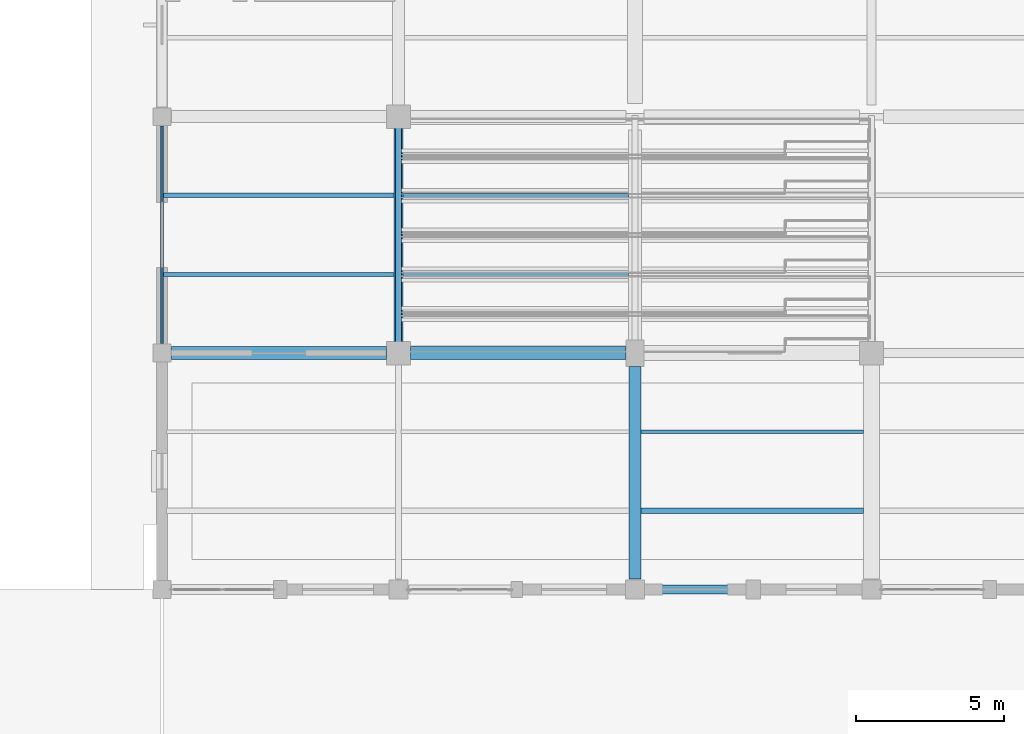
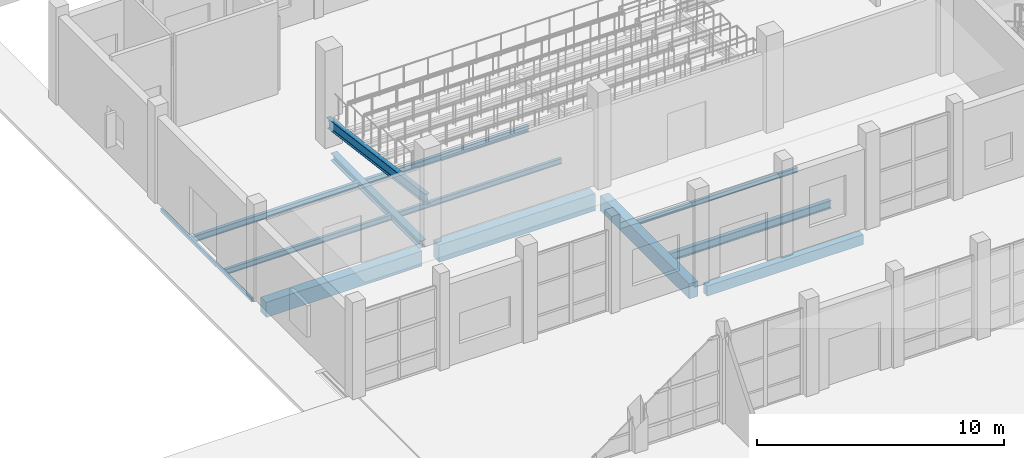
# One storey, part 75 of 156: 13 beams.
"""IFC4 building model written with IfcOpenShell, lengths in metres."""

from ifc_helpers import new_model, si_unit, direction, frame, origin, origin_2d, place, context, subcontext, project, spatial, rectangle, hollow_rectangle, i_section, extrude, material, material_profile, profile_set, type_object, element, save


model = new_model("IFC4")

# Units and contexts
model_context = context("Model", 3, precision=1e-05, world=origin(), true_north=direction((0.0, 1.0)))
body_context = subcontext(model_context, "Body", "Model", "MODEL_VIEW")
ifc_project = project(units=[si_unit("LENGTHUNIT", "METRE"), si_unit("AREAUNIT", "SQUARE_METRE"), si_unit("VOLUMEUNIT", "CUBIC_METRE"), si_unit("PLANEANGLEUNIT", "RADIAN"), si_unit("MASSUNIT", "GRAM", prefix="KILO")], contexts=[model_context])

# Site, building, storey
site_placement = place(None, origin())
site = spatial("IfcSite", under=ifc_project, at=site_placement, CompositionType="ELEMENT")
building_placement = place(site_placement, origin())
building = spatial("IfcBuilding", under=site, at=building_placement, Name="Luwemba Playhouse", CompositionType="ELEMENT")
storey_placement = place(building_placement, origin())
storey = spatial("IfcBuildingStorey", under=building, at=storey_placement, Name="L00", CompositionType="ELEMENT", Elevation=0.0)

# Beams
ifc_material_1 = material(Name="Concrete C40/50", Category="concrete")
ifc_material_profile_1 = material_profile(ifc_material_1, rectangle(XDim=0.39990234375, YDim=0.75, at=origin_2d()))
ifc_profile_set_1 = profile_set([ifc_material_profile_1], Name="Concrete C40/50")
beam_type_1 = type_object("IfcBeamType", Name="BM-RB03", PredefinedType="BEAM", material=ifc_profile_set_1)
beam_1_placement = place(storey_placement, frame((148.0, 36.35009765625, -0.675048828125), z_axis=(0.0, 1.0, 0.0), x_axis=(-1.0, 0.0, 0.0)))
element("IfcBeam", 1, at=beam_1_placement, inside=storey, type_object=beam_type_1, Name="L00 transverse girder 0100", PredefinedType="BEAM", context=body_context, shape_type="SweptSolid", body=[
    extrude(rectangle(XDim=0.39990234375, YDim=0.75, at=origin_2d()), origin(), (0.0, 0.0, 1.0), 7.199951171875),
])
ifc_material_profile_2 = material_profile(ifc_material_1, rectangle(XDim=0.449951171875, YDim=0.75, at=origin_2d()))
ifc_profile_set_2 = profile_set([ifc_material_profile_2], Name="Concrete C40/50")
beam_type_2 = type_object("IfcBeamType", Name="BM-RB04", PredefinedType="BEAM", material=ifc_profile_set_2)
beam_2_placement = place(storey_placement, frame((132.324951171875, 44.0, -0.675048828125), z_axis=(1.0, 0.0, 0.0), x_axis=(0.0, 1.0, 0.0)))
element("IfcBeam", 2, at=beam_2_placement, inside=storey, type_object=beam_type_2, Name="L00 grid girder 0079", PredefinedType="BEAM", context=body_context, shape_type="SweptSolid", body=[
    extrude(rectangle(XDim=0.449951171875, YDim=0.75, at=origin_2d()), origin(), (0.0, 0.0, 1.0), 7.275146484375),
])
ifc_material_profile_3 = material_profile(ifc_material_1, rectangle(XDim=0.449951171875, YDim=0.85009765625, at=origin_2d()))
ifc_profile_set_3 = profile_set([ifc_material_profile_3], Name="Concrete C40/50")
beam_type_3 = type_object("IfcBeamType", Name="BM-RB05", PredefinedType="BEAM", material=ifc_profile_set_3)
beam_3_placement = place(storey_placement, frame((140.39990234375, 44.0, -0.72509765625), z_axis=(1.0, 0.0, 0.0), x_axis=(0.0, 1.0, 0.0)))
element("IfcBeam", 3, at=beam_3_placement, inside=storey, type_object=beam_type_3, Name="L00 grid girder 0080", PredefinedType="BEAM", context=body_context, shape_type="SweptSolid", body=[
    extrude(rectangle(XDim=0.449951171875, YDim=0.85009765625, at=origin_2d()), origin(), (0.0, 0.0, 1.0), 7.300048828125),
])
ifc_material_2 = material(Name="Steel S355", Category="steel")
ifc_material_profile_4 = material_profile(ifc_material_2, i_section(OverallWidth=0.199951171875, OverallDepth=0.5, WebThickness=0.01025390625, FlangeThickness=0.01611328125, FilletRadius=0.02099609375, at=origin_2d()))
ifc_profile_set_4 = profile_set([ifc_material_profile_4], Name="Steel S355")
beam_type_4 = type_object("IfcBeamType", Name="BM-RK1", PredefinedType="USERDEFINED", material=ifc_profile_set_4)
beam_4_placement = place(storey_placement, frame((140.0, 44.0, 1.97998046875), z_axis=(0.0, 0.991627894633, -0.129128302808), x_axis=(-1.0, 0.0, 0.0)))
element("IfcBeam", 4, at=beam_4_placement, inside=storey, type_object=beam_type_4, Name="RAKER girder Studio 16", ObjectType="RAKER", PredefinedType="USERDEFINED", context=body_context, shape_type="SweptSolid", body=[
    extrude(i_section(OverallWidth=0.199951171875, OverallDepth=0.5, WebThickness=0.01025390625, FlangeThickness=0.01611328125, FilletRadius=0.02099609375, at=origin_2d()), origin(), (0.0, 0.0, 1.0), 8.067626953125),
])
ifc_material_profile_5 = material_profile(ifc_material_2, i_section(OverallWidth=0.300048828125, OverallDepth=0.360107421875, WebThickness=0.012451171875, FlangeThickness=0.0224609375, FilletRadius=0.027099609375, at=origin_2d()))
ifc_profile_set_5 = profile_set([ifc_material_profile_5], Name="Steel S355")
beam_type_5 = type_object("IfcBeamType", Name="BM-SB09", PredefinedType="BEAM", material=ifc_profile_set_5)
beam_5_placement = place(storey_placement, frame((140.0, 44.39990234375, -0.47998046875), z_axis=(0.0, 1.0, 0.0), x_axis=(-1.0, 0.0, 0.0)))
element("IfcBeam", 5, at=beam_5_placement, inside=storey, type_object=beam_type_5, Name="L00 transverse girder 0098", PredefinedType="BEAM", context=body_context, shape_type="SweptSolid", body=[
    extrude(i_section(OverallWidth=0.300048828125, OverallDepth=0.360107421875, WebThickness=0.012451171875, FlangeThickness=0.0224609375, FilletRadius=0.027099609375, at=origin_2d()), origin(), (0.0, 0.0, 1.0), 7.2001953125),
])
ifc_material_profile_6 = material_profile(ifc_material_2, i_section(OverallWidth=0.1201171875, OverallDepth=0.239990234375, WebThickness=0.006103515625, FlangeThickness=0.009765625, FilletRadius=0.014892578125, at=origin_2d()))
ifc_profile_set_6 = profile_set([ifc_material_profile_6], Name="Steel S355")
beam_type_6 = type_object("IfcBeamType", Name="BM-SJ03", PredefinedType="JOIST", material=ifc_profile_set_6)
beam_6_placement = place(storey_placement, frame((148.196044921875, 41.333251953125, -0.419921875), z_axis=(1.0, 0.0, 0.0), x_axis=(0.0, 1.0, 0.0)))
element("IfcBeam", 6, at=beam_6_placement, inside=storey, type_object=beam_type_6, Name="L00 composite floor joist 0083", PredefinedType="JOIST", context=body_context, shape_type="SweptSolid", body=[
    extrude(i_section(OverallWidth=0.1201171875, OverallDepth=0.239990234375, WebThickness=0.006103515625, FlangeThickness=0.009765625, FilletRadius=0.014892578125, at=origin_2d()), origin(), (0.0, 0.0, 1.0), 7.532958984375),
])
ifc_material_profile_7 = material_profile(ifc_material_2, i_section(OverallWidth=0.135009765625, OverallDepth=0.27001953125, WebThickness=0.006591796875, FlangeThickness=0.01025390625, FilletRadius=0.014892578125, at=origin_2d()))
ifc_profile_set_7 = profile_set([ifc_material_profile_7], Name="Steel S355")
beam_type_7 = type_object("IfcBeamType", Name="BM-SJ04", PredefinedType="JOIST", material=ifc_profile_set_7)
beam_7_placement = place(storey_placement, frame((132.0458984375, 46.666748046875, -0.43505859375), z_axis=(1.0, 0.0, 0.0), x_axis=(0.0, 1.0, 0.0)))
element("IfcBeam", 7, at=beam_7_placement, inside=storey, type_object=beam_type_7, Name="L00 composite floor joist 0072", PredefinedType="JOIST", context=body_context, shape_type="SweptSolid", body=[
    extrude(i_section(OverallWidth=0.135009765625, OverallDepth=0.27001953125, WebThickness=0.006591796875, FlangeThickness=0.01025390625, FilletRadius=0.014892578125, at=origin_2d()), origin(), (0.0, 0.0, 1.0), 7.80810546875),
])
beam_8_placement = place(storey_placement, frame((140.14599609375, 46.666748046875, -0.43505859375), z_axis=(1.0, 0.0, 0.0), x_axis=(0.0, 1.0, 0.0)))
element("IfcBeam", 8, at=beam_8_placement, inside=storey, type_object=beam_type_7, Name="L00 composite floor joist 0078", PredefinedType="JOIST", context=body_context, shape_type="SweptSolid", body=[
    extrude(i_section(OverallWidth=0.135009765625, OverallDepth=0.27001953125, WebThickness=0.006591796875, FlangeThickness=0.01025390625, FilletRadius=0.014892578125, at=origin_2d()), origin(), (0.0, 0.0, 1.0), 7.633056640625),
])
ifc_material_profile_8 = material_profile(ifc_material_2, i_section(OverallWidth=0.14990234375, OverallDepth=0.300048828125, WebThickness=0.007080078125, FlangeThickness=0.0107421875, FilletRadius=0.014892578125, at=origin_2d()))
ifc_profile_set_8 = profile_set([ifc_material_profile_8], Name="Steel S355")
beam_type_8 = type_object("IfcBeamType", Name="BM-SJ05", PredefinedType="JOIST", material=ifc_profile_set_8)
beam_9_placement = place(storey_placement, frame((132.0458984375, 49.333251953125, -0.449951171875), z_axis=(1.0, 0.0, 0.0), x_axis=(0.0, 1.0, 0.0)))
element("IfcBeam", 9, at=beam_9_placement, inside=storey, type_object=beam_type_8, Name="L00 composite floor joist 0073", PredefinedType="JOIST", context=body_context, shape_type="SweptSolid", body=[
    extrude(i_section(OverallWidth=0.14990234375, OverallDepth=0.300048828125, WebThickness=0.007080078125, FlangeThickness=0.0107421875, FilletRadius=0.014892578125, at=origin_2d()), origin(), (0.0, 0.0, 1.0), 7.80810546875),
])
beam_10_placement = place(storey_placement, frame((140.14599609375, 49.333251953125, -0.449951171875), z_axis=(1.0, 0.0, 0.0), x_axis=(0.0, 1.0, 0.0)))
element("IfcBeam", 10, at=beam_10_placement, inside=storey, type_object=beam_type_8, Name="L00 composite floor joist 0079", PredefinedType="JOIST", context=body_context, shape_type="SweptSolid", body=[
    extrude(i_section(OverallWidth=0.14990234375, OverallDepth=0.300048828125, WebThickness=0.007080078125, FlangeThickness=0.0107421875, FilletRadius=0.014892578125, at=origin_2d()), origin(), (0.0, 0.0, 1.0), 7.633056640625),
])
ifc_material_profile_9 = material_profile(ifc_material_2, i_section(OverallWidth=0.179931640625, OverallDepth=0.39990234375, WebThickness=0.008544921875, FlangeThickness=0.013427734375, FilletRadius=0.02099609375, at=origin_2d()))
ifc_profile_set_9 = profile_set([ifc_material_profile_9], Name="Steel S355")
beam_type_9 = type_object("IfcBeamType", Name="BM-SJ08", PredefinedType="JOIST", material=ifc_profile_set_9)
beam_11_placement = place(storey_placement, frame((148.196044921875, 38.666748046875, -0.5), z_axis=(1.0, 0.0, 0.0), x_axis=(0.0, 1.0, 0.0)))
element("IfcBeam", 11, at=beam_11_placement, inside=storey, type_object=beam_type_9, Name="L00 composite floor joist 0082", PredefinedType="JOIST", context=body_context, shape_type="SweptSolid", body=[
    extrude(i_section(OverallWidth=0.179931640625, OverallDepth=0.39990234375, WebThickness=0.008544921875, FlangeThickness=0.013427734375, FilletRadius=0.02099609375, at=origin_2d()), origin(), (0.0, 0.0, 1.0), 7.532958984375),
])
ifc_material_profile_10 = material_profile(ifc_material_1, rectangle(XDim=0.300048828125, YDim=0.5, at=origin_2d()))
ifc_profile_set_10 = profile_set([ifc_material_profile_10], Name="Concrete C40/50")
beam_type_10 = type_object("IfcBeamType", Name="BM-SP1", PredefinedType="SPANDREL", material=ifc_profile_set_10)
beam_12_placement = place(storey_placement, frame((148.35009765625, 36.0, -0.550048828125), z_axis=(1.0, 0.0, 0.0), x_axis=(0.0, 1.0, 0.0)))
element("IfcBeam", 12, at=beam_12_placement, inside=storey, type_object=beam_type_10, Name="L00 grid girder 0076", PredefinedType="SPANDREL", context=body_context, shape_type="SweptSolid", body=[
    extrude(rectangle(XDim=0.300048828125, YDim=0.5, at=origin_2d()), origin(), (0.0, 0.0, 1.0), 7.2998046875),
])
ifc_material_profile_11 = material_profile(ifc_material_2, hollow_rectangle(XDim=0.10009765625, YDim=0.199951171875, WallThickness=0.008056640625, InnerFilletRadius=0.011962890625, OuterFilletRadius=0.02001953125, at=origin_2d()))
ifc_profile_set_11 = profile_set([ifc_material_profile_11], Name="Steel S355")
beam_type_11 = type_object("IfcBeamType", Name="BM-SSP2", PredefinedType="SPANDREL", material=ifc_profile_set_11)
beam_13_placement = place(storey_placement, frame((132.0, 44.324951171875, -0.39990234375), z_axis=(0.0, 1.0, 0.0), x_axis=(-1.0, 0.0, 0.0)))
element("IfcBeam", 13, at=beam_13_placement, inside=storey, type_object=beam_type_11, Name="L00 transverse girder 0095", PredefinedType="SPANDREL", context=body_context, shape_type="SweptSolid", body=[
    extrude(hollow_rectangle(XDim=0.10009765625, YDim=0.199951171875, WallThickness=0.008056640625, InnerFilletRadius=0.011962890625, OuterFilletRadius=0.02001953125, at=origin_2d()), origin(), (0.0, 0.0, 1.0), 7.35009765625),
])

save(model, "model.ifc")
